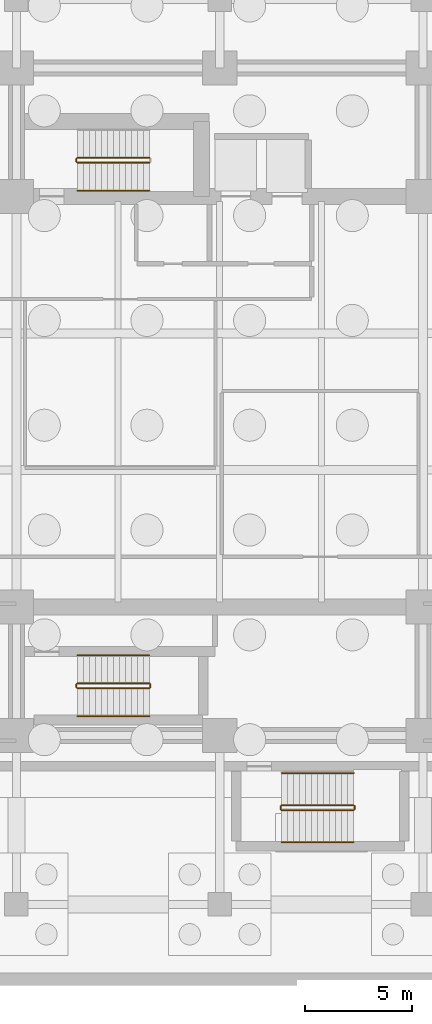
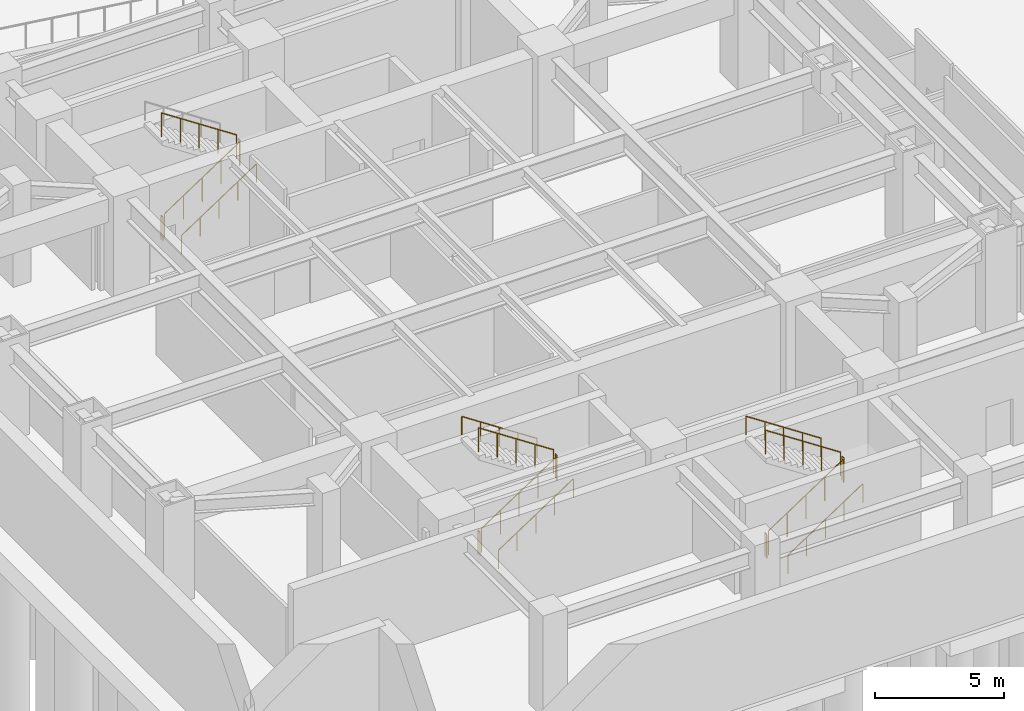
# One storey, part 12 of 16: 16 railings.
"""IFC4 building model written with IfcOpenShell, lengths in metres."""

from ifc_helpers import new_model, si_unit, direction, frame, origin, origin_2d, place, context, subcontext, project, spatial, circle, extrude, material, type_object, element, save


model = new_model("IFC4")

# Units and contexts
model_context = context("Model", 3, precision=1e-05, world=origin(), true_north=direction((0.0, 1.0)))
body_context = subcontext(model_context, "Body", "Model", "MODEL_VIEW")
ifc_project = project(units=[si_unit("LENGTHUNIT", "METRE"), si_unit("AREAUNIT", "SQUARE_METRE"), si_unit("VOLUMEUNIT", "CUBIC_METRE"), si_unit("PLANEANGLEUNIT", "RADIAN"), si_unit("MASSUNIT", "GRAM", prefix="KILO")], contexts=[model_context])

# Site, building, storey
site_placement = place(None, origin())
site = spatial("IfcSite", under=ifc_project, at=site_placement, CompositionType="ELEMENT")
building_placement = place(site_placement, origin())
building = spatial("IfcBuilding", under=site, at=building_placement, Name="Mirazonda Arch Towers", CompositionType="ELEMENT")
storey_placement = place(building_placement, frame((0.0, 0.0, -4.800048828125)))
storey = spatial("IfcBuildingStorey", under=building, at=storey_placement, Name="B1", CompositionType="ELEMENT", Elevation=-4.800048828125)

# Railings
ifc_material = material(Name="Architectural Brushed Steel S355", Category="steel")
railing_type_1 = type_object("IfcRailingType", Name="GUARD-STAIR-1120", PredefinedType="GUARDRAIL", material=ifc_material)
railing_1_placement = place(storey_placement, frame((13.85009765625, 39.169921875, 0.1845703125)))
element("IfcRailing", 1, at=railing_1_placement, inside=storey, type_object=railing_type_1, Name="B1 ST-T1N stair guard 1", PredefinedType="GUARDRAIL", context=body_context, shape_type="SweptSolid", body=[
    extrude(circle(Radius=0.02392578125, at=origin_2d()), frame((0.0, 0.0, 1.1259765625), z_axis=(0.83483021737, 0.0, 0.550507500554), x_axis=(0.0, 1.0, 0.0)), (0.0, 0.0, 1.0), 4.024658203125),
    extrude(circle(Radius=0.02099609375, at=origin_2d()), origin(), (0.0, 0.0, 1.0), 1.101806640625),
    extrude(circle(Radius=0.02099609375, at=origin_2d()), frame((0.83984375, 0.0, 0.553955078125)), (0.0, 0.0, 1.0), 1.101806640625),
    extrude(circle(Radius=0.02099609375, at=origin_2d()), frame((1.679931640625, 0.0, 1.10791015625)), (0.0, 0.0, 1.0), 1.101806640625),
    extrude(circle(Radius=0.02099609375, at=origin_2d()), frame((2.52001953125, 0.0, 1.66162109375)), (0.0, 0.0, 1.0), 1.101806640625),
    extrude(circle(Radius=0.02099609375, at=origin_2d()), frame((3.35986328125, 0.0, 2.215576171875)), (0.0, 0.0, 1.0), 1.101806640625),
])
railing_2_placement = place(storey_placement, frame((17.2099609375, 39.409912109375, 2.584716796875)))
element("IfcRailing", 2, at=railing_2_placement, inside=storey, type_object=railing_type_1, Name="B1 ST-T1N stair guard 3", PredefinedType="GUARDRAIL", context=body_context, shape_type="SweptSolid", body=[
    extrude(circle(Radius=0.02392578125, at=origin_2d()), frame((0.0, 0.0, 1.1259765625), z_axis=(-0.834858096282, 0.0, 0.550465220583), x_axis=(0.0, -1.0, 0.0)), (0.0, 0.0, 1.0), 4.0244140625),
    extrude(circle(Radius=0.02099609375, at=origin_2d()), origin(), (0.0, 0.0, 1.0), 1.101806640625),
    extrude(circle(Radius=0.02099609375, at=origin_2d()), frame((-0.83984375, 0.0, 0.5537109375)), (0.0, 0.0, 1.0), 1.101806640625),
    extrude(circle(Radius=0.02099609375, at=origin_2d()), frame((-1.679931640625, 0.0, 1.107666015625)), (0.0, 0.0, 1.0), 1.101806640625),
    extrude(circle(Radius=0.02099609375, at=origin_2d()), frame((-2.52001953125, 0.0, 1.66162109375)), (0.0, 0.0, 1.0), 1.101806640625),
    extrude(circle(Radius=0.02099609375, at=origin_2d()), frame((-3.35986328125, 0.0, 2.21533203125)), (0.0, 0.0, 1.0), 1.101806640625),
])
railing_3_placement = place(storey_placement, frame((13.800048828125, 39.219970703125, 0.0)))
element("IfcRailing", 3, at=railing_3_placement, inside=storey, type_object=railing_type_1, Name="B1 ST-T1N stair guard 4", PredefinedType="GUARDRAIL", context=body_context, shape_type="SweptSolid", body=[
    extrude(circle(Radius=0.02392578125, at=origin_2d()), frame((0.0, 0.0, 1.1259765625), z_axis=(0.0, 1.0, 0.0), x_axis=(-1.0, 0.0, 0.0)), (0.0, 0.0, 1.0), 0.14013671875),
    extrude(circle(Radius=0.02099609375, at=origin_2d()), origin(), (0.0, 0.0, 1.0), 1.101806640625),
    extrude(circle(Radius=0.02099609375, at=origin_2d()), frame((0.0, 0.14013671875, 0.0)), (0.0, 0.0, 1.0), 1.101806640625),
])
railing_4_placement = place(storey_placement, frame((13.85009765625, 14.60009765625, 0.1845703125)))
element("IfcRailing", 4, at=railing_4_placement, inside=storey, type_object=railing_type_1, Name="B1 ST-T1S stair guard 1", PredefinedType="GUARDRAIL", context=body_context, shape_type="SweptSolid", body=[
    extrude(circle(Radius=0.02392578125, at=origin_2d()), frame((0.0, 0.0, 1.1259765625), z_axis=(0.83483021737, 0.0, 0.550507500554), x_axis=(0.0, 1.0, 0.0)), (0.0, 0.0, 1.0), 4.024658203125),
    extrude(circle(Radius=0.02099609375, at=origin_2d()), origin(), (0.0, 0.0, 1.0), 1.101806640625),
    extrude(circle(Radius=0.02099609375, at=origin_2d()), frame((0.83984375, 0.0, 0.553955078125)), (0.0, 0.0, 1.0), 1.101806640625),
    extrude(circle(Radius=0.02099609375, at=origin_2d()), frame((1.679931640625, 0.0, 1.10791015625)), (0.0, 0.0, 1.0), 1.101806640625),
    extrude(circle(Radius=0.02099609375, at=origin_2d()), frame((2.52001953125, 0.0, 1.66162109375)), (0.0, 0.0, 1.0), 1.101806640625),
    extrude(circle(Radius=0.02099609375, at=origin_2d()), frame((3.35986328125, 0.0, 2.215576171875)), (0.0, 0.0, 1.0), 1.101806640625),
])
railing_5_placement = place(storey_placement, frame((17.260009765625, 14.64990234375, 2.400146484375)))
element("IfcRailing", 5, at=railing_5_placement, inside=storey, type_object=railing_type_1, Name="B1 ST-T1S stair guard 2", PredefinedType="GUARDRAIL", context=body_context, shape_type="SweptSolid", body=[
    extrude(circle(Radius=0.02392578125, at=origin_2d()), frame((0.0, 0.0, 1.1259765625), z_axis=(0.0, 1.0, 0.0), x_axis=(-1.0, 0.0, 0.0)), (0.0, 0.0, 1.0), 0.14013671875),
    extrude(circle(Radius=0.02099609375, at=origin_2d()), origin(), (0.0, 0.0, 1.0), 1.101806640625),
    extrude(circle(Radius=0.02099609375, at=origin_2d()), frame((0.0, 0.14013671875, 0.0)), (0.0, 0.0, 1.0), 1.101806640625),
])
railing_6_placement = place(storey_placement, frame((17.2099609375, 14.840087890625, 2.584716796875)))
element("IfcRailing", 6, at=railing_6_placement, inside=storey, type_object=railing_type_1, Name="B1 ST-T1S stair guard 3", PredefinedType="GUARDRAIL", context=body_context, shape_type="SweptSolid", body=[
    extrude(circle(Radius=0.02392578125, at=origin_2d()), frame((0.0, 0.0, 1.1259765625), z_axis=(-0.834858096282, 0.0, 0.550465220583), x_axis=(0.0, -1.0, 0.0)), (0.0, 0.0, 1.0), 4.0244140625),
    extrude(circle(Radius=0.02099609375, at=origin_2d()), origin(), (0.0, 0.0, 1.0), 1.101806640625),
    extrude(circle(Radius=0.02099609375, at=origin_2d()), frame((-0.83984375, 0.0, 0.5537109375)), (0.0, 0.0, 1.0), 1.101806640625),
    extrude(circle(Radius=0.02099609375, at=origin_2d()), frame((-1.679931640625, 0.0, 1.107666015625)), (0.0, 0.0, 1.0), 1.101806640625),
    extrude(circle(Radius=0.02099609375, at=origin_2d()), frame((-2.52001953125, 0.0, 1.66162109375)), (0.0, 0.0, 1.0), 1.101806640625),
    extrude(circle(Radius=0.02099609375, at=origin_2d()), frame((-3.35986328125, 0.0, 2.21533203125)), (0.0, 0.0, 1.0), 1.101806640625),
])
railing_7_placement = place(storey_placement, frame((13.800048828125, 14.64990234375, 0.0)))
element("IfcRailing", 7, at=railing_7_placement, inside=storey, type_object=railing_type_1, Name="B1 ST-T1S stair guard 4", PredefinedType="GUARDRAIL", context=body_context, shape_type="SweptSolid", body=[
    extrude(circle(Radius=0.02392578125, at=origin_2d()), frame((0.0, 0.0, 1.1259765625), z_axis=(0.0, 1.0, 0.0), x_axis=(-1.0, 0.0, 0.0)), (0.0, 0.0, 1.0), 0.14013671875),
    extrude(circle(Radius=0.02099609375, at=origin_2d()), origin(), (0.0, 0.0, 1.0), 1.101806640625),
    extrude(circle(Radius=0.02099609375, at=origin_2d()), frame((0.0, 0.14013671875, 0.0)), (0.0, 0.0, 1.0), 1.101806640625),
])
railing_8_placement = place(storey_placement, frame((23.39990234375, 8.89990234375, 0.1845703125)))
element("IfcRailing", 8, at=railing_8_placement, inside=storey, type_object=railing_type_1, Name="B1 ST-POD1 stair guard 1", PredefinedType="GUARDRAIL", context=body_context, shape_type="SweptSolid", body=[
    extrude(circle(Radius=0.02392578125, at=origin_2d()), frame((0.0, 0.0, 1.1259765625), z_axis=(0.834848600103, 0.0, 0.550479622607), x_axis=(0.0, 1.0, 0.0)), (0.0, 0.0, 1.0), 4.02490234375),
    extrude(circle(Radius=0.02099609375, at=origin_2d()), origin(), (0.0, 0.0, 1.0), 1.101806640625),
    extrude(circle(Radius=0.02099609375, at=origin_2d()), frame((0.840087890625, 0.0, 0.553955078125)), (0.0, 0.0, 1.0), 1.101806640625),
    extrude(circle(Radius=0.02099609375, at=origin_2d()), frame((1.68017578125, 0.0, 1.10791015625)), (0.0, 0.0, 1.0), 1.101806640625),
    extrude(circle(Radius=0.02099609375, at=origin_2d()), frame((2.52001953125, 0.0, 1.66162109375)), (0.0, 0.0, 1.0), 1.101806640625),
    extrude(circle(Radius=0.02099609375, at=origin_2d()), frame((3.360107421875, 0.0, 2.215576171875)), (0.0, 0.0, 1.0), 1.101806640625),
])
railing_9_placement = place(storey_placement, frame((26.81005859375, 8.949951171875, 2.400146484375)))
element("IfcRailing", 9, at=railing_9_placement, inside=storey, type_object=railing_type_1, Name="B1 ST-POD1 stair guard 2", PredefinedType="GUARDRAIL", context=body_context, shape_type="SweptSolid", body=[
    extrude(circle(Radius=0.02392578125, at=origin_2d()), frame((0.0, 0.0, 1.1259765625), z_axis=(0.0, 1.0, 0.0), x_axis=(-1.0, 0.0, 0.0)), (0.0, 0.0, 1.0), 0.14013671875),
    extrude(circle(Radius=0.02099609375, at=origin_2d()), origin(), (0.0, 0.0, 1.0), 1.101806640625),
    extrude(circle(Radius=0.02099609375, at=origin_2d()), frame((0.0, 0.14013671875, 0.0)), (0.0, 0.0, 1.0), 1.101806640625),
])
railing_10_placement = place(storey_placement, frame((26.760009765625, 9.139892578125, 2.584716796875)))
element("IfcRailing", 10, at=railing_10_placement, inside=storey, type_object=railing_type_1, Name="B1 ST-POD1 stair guard 3", PredefinedType="GUARDRAIL", context=body_context, shape_type="SweptSolid", body=[
    extrude(circle(Radius=0.02392578125, at=origin_2d()), frame((0.0, 0.0, 1.1259765625), z_axis=(-0.834876476806, 0.0, 0.550437342915), x_axis=(0.0, -1.0, 0.0)), (0.0, 0.0, 1.0), 4.024658203125),
    extrude(circle(Radius=0.02099609375, at=origin_2d()), origin(), (0.0, 0.0, 1.0), 1.101806640625),
    extrude(circle(Radius=0.02099609375, at=origin_2d()), frame((-0.840087890625, 0.0, 0.5537109375)), (0.0, 0.0, 1.0), 1.101806640625),
    extrude(circle(Radius=0.02099609375, at=origin_2d()), frame((-1.68017578125, 0.0, 1.107666015625)), (0.0, 0.0, 1.0), 1.101806640625),
    extrude(circle(Radius=0.02099609375, at=origin_2d()), frame((-2.52001953125, 0.0, 1.66162109375)), (0.0, 0.0, 1.0), 1.101806640625),
    extrude(circle(Radius=0.02099609375, at=origin_2d()), frame((-3.360107421875, 0.0, 2.21533203125)), (0.0, 0.0, 1.0), 1.101806640625),
])
railing_11_placement = place(storey_placement, frame((23.35009765625, 8.949951171875, 0.0)))
element("IfcRailing", 11, at=railing_11_placement, inside=storey, type_object=railing_type_1, Name="B1 ST-POD1 stair guard 4", PredefinedType="GUARDRAIL", context=body_context, shape_type="SweptSolid", body=[
    extrude(circle(Radius=0.02392578125, at=origin_2d()), frame((0.0, 0.0, 1.1259765625), z_axis=(0.0, 1.0, 0.0), x_axis=(-1.0, 0.0, 0.0)), (0.0, 0.0, 1.0), 0.14013671875),
    extrude(circle(Radius=0.02099609375, at=origin_2d()), origin(), (0.0, 0.0, 1.0), 1.101806640625),
    extrude(circle(Radius=0.02099609375, at=origin_2d()), frame((0.0, 0.14013671875, 0.0)), (0.0, 0.0, 1.0), 1.101806640625),
])
railing_type_2 = type_object("IfcRailingType", Name="HANDRAIL-915", PredefinedType="HANDRAIL", material=ifc_material)
for number, where, name in (
    (12, (13.85009765625, 37.8701171875, 0.1845703125), "B1 ST-T1N stair handrail 1"),
    (13, (13.85009765625, 13.300048828125, 0.1845703125), "B1 ST-T1S stair handrail 1"),
):
    element("IfcRailing", number, at=place(storey_placement, frame(where)), inside=storey, type_object=railing_type_2, Name=name, PredefinedType="HANDRAIL", context=body_context, shape_type="SweptSolid", body=[
        extrude(circle(Radius=0.02392578125, at=origin_2d()), frame((0.0, 0.0, 0.8759765625), z_axis=(0.83483021737, 0.0, 0.550507500554), x_axis=(0.0, 1.0, 0.0)), (0.0, 0.0, 1.0), 4.024658203125),
        extrude(circle(Radius=0.02099609375, at=origin_2d()), origin(), (0.0, 0.0, 1.0), 0.851806640625),
        extrude(circle(Radius=0.02099609375, at=origin_2d()), frame((0.83984375, 0.0, 0.553955078125)), (0.0, 0.0, 1.0), 0.851806640625),
        extrude(circle(Radius=0.02099609375, at=origin_2d()), frame((1.679931640625, 0.0, 1.10791015625)), (0.0, 0.0, 1.0), 0.851806640625),
        extrude(circle(Radius=0.02099609375, at=origin_2d()), frame((2.52001953125, 0.0, 1.66162109375)), (0.0, 0.0, 1.0), 0.851806640625),
        extrude(circle(Radius=0.02099609375, at=origin_2d()), frame((3.35986328125, 0.0, 2.215576171875)), (0.0, 0.0, 1.0), 0.851806640625),
    ])
railing_12_placement = place(storey_placement, frame((17.2099609375, 16.139892578125, 2.584716796875)))
element("IfcRailing", 14, at=railing_12_placement, inside=storey, type_object=railing_type_2, Name="B1 ST-T1S stair handrail 2", PredefinedType="HANDRAIL", context=body_context, shape_type="SweptSolid", body=[
    extrude(circle(Radius=0.02392578125, at=origin_2d()), frame((0.0, 0.0, 0.8759765625), z_axis=(-0.834858096282, 0.0, 0.550465220583), x_axis=(0.0, -1.0, 0.0)), (0.0, 0.0, 1.0), 4.0244140625),
    extrude(circle(Radius=0.02099609375, at=origin_2d()), origin(), (0.0, 0.0, 1.0), 0.851806640625),
    extrude(circle(Radius=0.02099609375, at=origin_2d()), frame((-0.83984375, 0.0, 0.5537109375)), (0.0, 0.0, 1.0), 0.851806640625),
    extrude(circle(Radius=0.02099609375, at=origin_2d()), frame((-1.679931640625, 0.0, 1.107666015625)), (0.0, 0.0, 1.0), 0.851806640625),
    extrude(circle(Radius=0.02099609375, at=origin_2d()), frame((-2.52001953125, 0.0, 1.66162109375)), (0.0, 0.0, 1.0), 0.851806640625),
    extrude(circle(Radius=0.02099609375, at=origin_2d()), frame((-3.35986328125, 0.0, 2.21533203125)), (0.0, 0.0, 1.0), 0.851806640625),
])
railing_13_placement = place(storey_placement, frame((23.39990234375, 7.39990234375, 0.1845703125)))
element("IfcRailing", 15, at=railing_13_placement, inside=storey, type_object=railing_type_2, Name="B1 ST-POD1 stair handrail 1", PredefinedType="HANDRAIL", context=body_context, shape_type="SweptSolid", body=[
    extrude(circle(Radius=0.02392578125, at=origin_2d()), frame((0.0, 0.0, 0.8759765625), z_axis=(0.834848600103, 0.0, 0.550479622607), x_axis=(0.0, 1.0, 0.0)), (0.0, 0.0, 1.0), 4.02490234375),
    extrude(circle(Radius=0.02099609375, at=origin_2d()), origin(), (0.0, 0.0, 1.0), 0.851806640625),
    extrude(circle(Radius=0.02099609375, at=origin_2d()), frame((0.840087890625, 0.0, 0.553955078125)), (0.0, 0.0, 1.0), 0.851806640625),
    extrude(circle(Radius=0.02099609375, at=origin_2d()), frame((1.68017578125, 0.0, 1.10791015625)), (0.0, 0.0, 1.0), 0.851806640625),
    extrude(circle(Radius=0.02099609375, at=origin_2d()), frame((2.52001953125, 0.0, 1.66162109375)), (0.0, 0.0, 1.0), 0.851806640625),
    extrude(circle(Radius=0.02099609375, at=origin_2d()), frame((3.360107421875, 0.0, 2.215576171875)), (0.0, 0.0, 1.0), 0.851806640625),
])
railing_14_placement = place(storey_placement, frame((26.760009765625, 10.639892578125, 2.584716796875)))
element("IfcRailing", 16, at=railing_14_placement, inside=storey, type_object=railing_type_2, Name="B1 ST-POD1 stair handrail 2", PredefinedType="HANDRAIL", context=body_context, shape_type="SweptSolid", body=[
    extrude(circle(Radius=0.02392578125, at=origin_2d()), frame((0.0, 0.0, 0.8759765625), z_axis=(-0.834876476806, 0.0, 0.550437342915), x_axis=(0.0, -1.0, 0.0)), (0.0, 0.0, 1.0), 4.024658203125),
    extrude(circle(Radius=0.02099609375, at=origin_2d()), origin(), (0.0, 0.0, 1.0), 0.851806640625),
    extrude(circle(Radius=0.02099609375, at=origin_2d()), frame((-0.840087890625, 0.0, 0.5537109375)), (0.0, 0.0, 1.0), 0.851806640625),
    extrude(circle(Radius=0.02099609375, at=origin_2d()), frame((-1.68017578125, 0.0, 1.107666015625)), (0.0, 0.0, 1.0), 0.851806640625),
    extrude(circle(Radius=0.02099609375, at=origin_2d()), frame((-2.52001953125, 0.0, 1.66162109375)), (0.0, 0.0, 1.0), 0.851806640625),
    extrude(circle(Radius=0.02099609375, at=origin_2d()), frame((-3.360107421875, 0.0, 2.21533203125)), (0.0, 0.0, 1.0), 0.851806640625),
])

save(model, "model.ifc")
